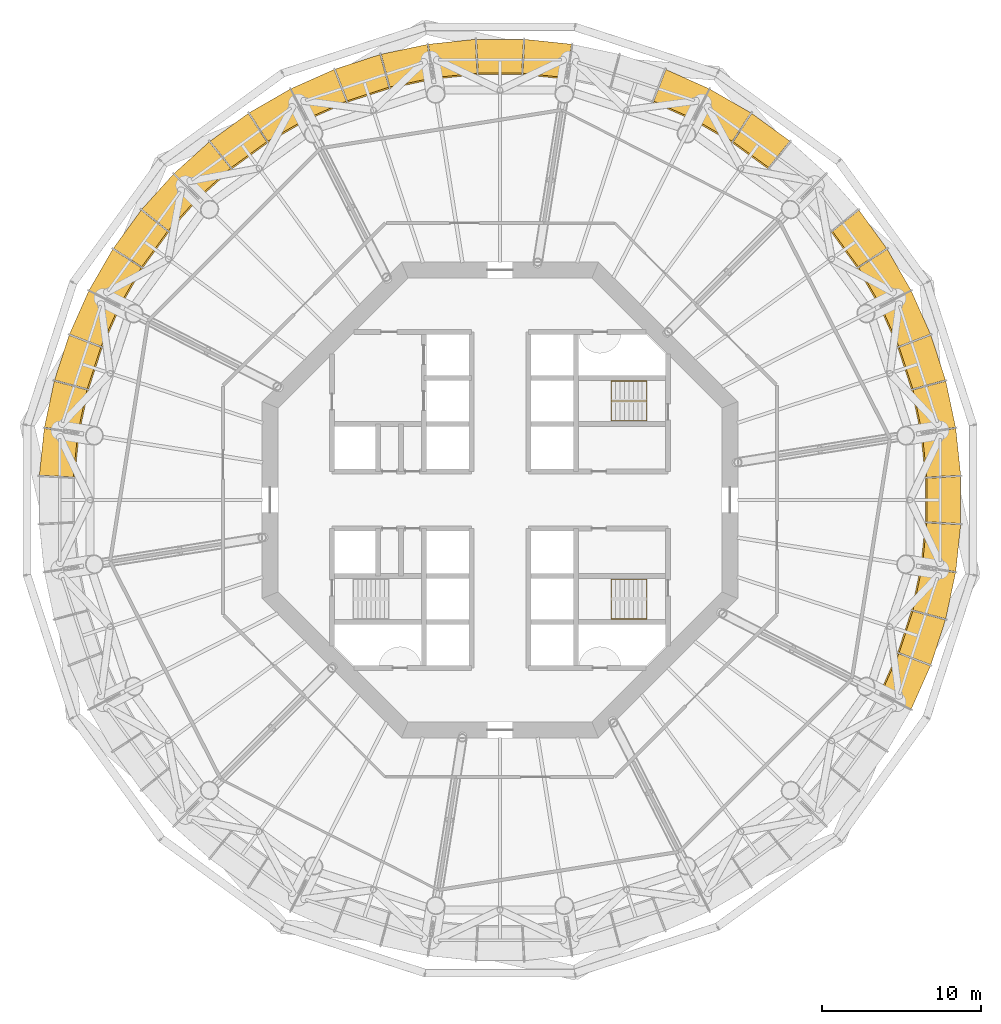
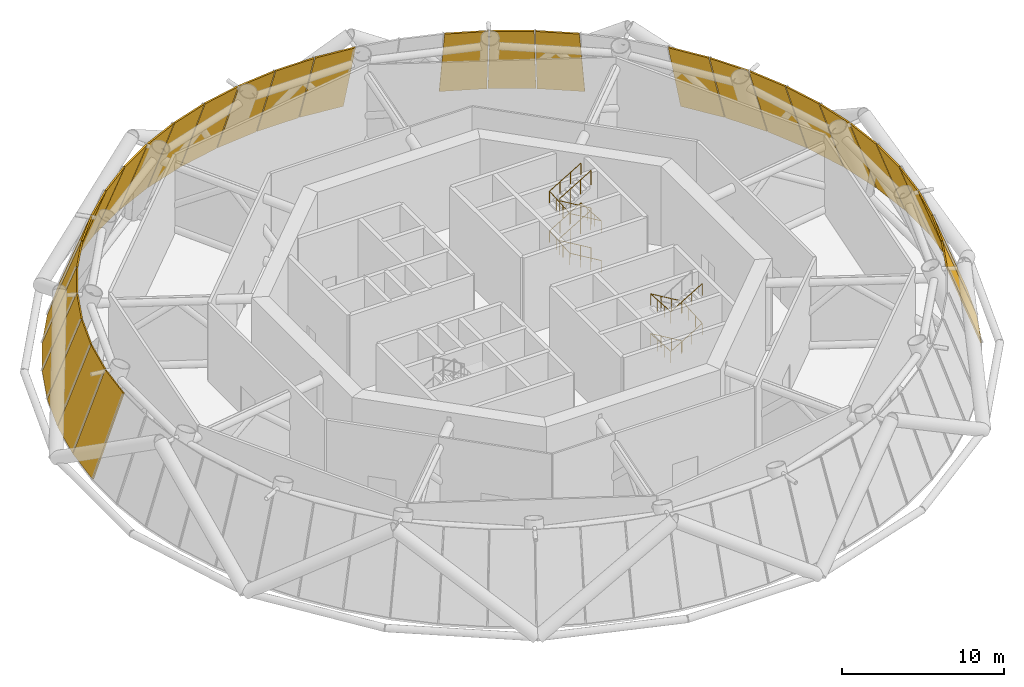
# One storey, part 14 of 15: 30 shading devices, 3 railings.
"""IFC4 building model written with IfcOpenShell, lengths in metres."""

from ifc_helpers import new_model, si_unit, direction, frame, origin, origin_2d, place, context, subcontext, project, spatial, polyline, circle, outline, extrude, material, layer, layer_set, type_object, element, save


model = new_model("IFC4")

# Units and contexts
model_context = context("Model", 3, precision=1e-05, world=origin(), true_north=direction((0.0, 1.0)))
body_context = subcontext(model_context, "Body", "Model", "MODEL_VIEW")
ifc_project = project(units=[si_unit("LENGTHUNIT", "METRE"), si_unit("AREAUNIT", "SQUARE_METRE"), si_unit("VOLUMEUNIT", "CUBIC_METRE"), si_unit("PLANEANGLEUNIT", "RADIAN"), si_unit("MASSUNIT", "GRAM", prefix="KILO")], contexts=[model_context])

# Site, building, storey
site_placement = place(None, origin())
site = spatial("IfcSite", under=ifc_project, at=site_placement, CompositionType="ELEMENT")
building_placement = place(site_placement, origin())
building = spatial("IfcBuilding", under=site, at=building_placement, Name="Entoto Ring Tower", CompositionType="ELEMENT")
storey_placement = place(building_placement, frame((0.0, 0.0, 200.0)))
storey = spatial("IfcBuildingStorey", under=building, at=storey_placement, Name="L46", CompositionType="ELEMENT", Elevation=200.0)

# Shading devices
ifc_material_1 = material(Name="Anodised aluminium", Category="aluminium")
ifc_layer = layer(ifc_material_1, 0.10009765625)
ifc_layer_set = layer_set([ifc_layer], Name="Anodised aluminium")
shading_device_type = type_object("IfcShadingDeviceType", Name="Louvre bank 100 mm anodised aluminium", PredefinedType="JALOUSIE", material=ifc_layer_set)
shading_device_1_placement = place(storey_placement, frame((118.7275390625, 84.590576171875, 0.034423828125), z_axis=(0.918353027937, 0.195197713351, 0.344275425759), x_axis=(-0.207906268773, 0.978148753205, -3.045492e-06)))
element("IfcShadingDevice", 1, at=shading_device_1_placement, inside=storey, type_object=shading_device_type, Name="LOUVRE L46-00", PredefinedType="JALOUSIE", context=body_context, shape_type="SweptSolid", body=[
    extrude(outline(polyline([(0.0, 0.0), (2.96517834880905, 0.0), (2.8533616351703897, 6.194351279673322), (0.11155860989281911, 6.194332767428116), (0.0, 0.0)])), origin(), (0.0, 0.0, -1.0), 0.10009765625),
])
shading_device_2_placement = place(storey_placement, frame((118.09033203125, 87.568115234375, 0.034423828125), z_axis=(0.892916754879, 0.290154767543, 0.344252639393), x_axis=(-0.309039918815, 0.951049067298, -1.3070655e-05)))
element("IfcShadingDevice", 2, at=shading_device_2_placement, inside=storey, type_object=shading_device_type, Name="LOUVRE L46-01", PredefinedType="JALOUSIE", context=body_context, shape_type="SweptSolid", body=[
    extrude(outline(polyline([(0.0, 0.0), (2.965184226481774, 5.551115123125783e-17), (2.853543807552835, 6.194326625666747), (0.11187349579815944, 6.194247177218622), (0.0, 0.0)])), origin(), (0.0, 0.0, -1.0), 0.10009765625),
])
shading_device_3_placement = place(storey_placement, frame((117.145263671875, 90.462890625, 0.034423828125), z_axis=(0.857707056851, 0.381881465537, 0.344245771082), x_axis=(-0.40673899718, 0.913544409489, -8.045852e-06)))
element("IfcShadingDevice", 3, at=shading_device_3_placement, inside=storey, type_object=shading_device_type, Name="LOUVRE L46-02", PredefinedType="JALOUSIE", context=body_context, shape_type="SweptSolid", body=[
    extrude(outline(polyline([(0.0, 0.0), (2.9653270053117966, 0.0), (2.8534716573417667, 6.1942947378489075), (0.11176368955269923, 6.194245830663955), (0.0, 0.0)])), origin(), (0.0, 0.0, -1.0), 0.10009765625),
])
shading_device_4_placement = place(storey_placement, frame((115.90283203125, 93.2431640625, 0.034423828125), z_axis=(0.81310401164, 0.469410520848, 0.344260989908), x_axis=(-0.499970970904, 0.866042163088, -2.616347e-06)))
element("IfcShadingDevice", 4, at=shading_device_4_placement, inside=storey, type_object=shading_device_type, Name="LOUVRE L46-03", PredefinedType="JALOUSIE", context=body_context, shape_type="SweptSolid", body=[
    extrude(outline(polyline([(0.0, 0.0), (2.965052540695958, 5.551115123125783e-17), (2.8534231207169944, 6.194315051785717), (0.11161084536990737, 6.194299148548093), (0.0, 0.0)])), origin(), (0.0, 0.0, -1.0), 0.10009765625),
])
shading_device_5_placement = place(storey_placement, frame((114.376708984375, 95.878173828125, 0.034423828125), z_axis=(0.759575686394, 0.551849086879, 0.344248982498), x_axis=(-0.587776019926, 0.809023701991, 4.016205e-06)))
element("IfcShadingDevice", 5, at=shading_device_5_placement, inside=storey, type_object=shading_device_type, Name="LOUVRE L46-04", PredefinedType="JALOUSIE", context=body_context, shape_type="SweptSolid", body=[
    extrude(outline(polyline([(0.0, 0.0), (2.9652343510788364, -5.551115123125783e-17), (2.8535016415328758, 6.1942658466849725), (0.11163180173182323, 6.194290259750858), (0.0, 0.0)])), origin(), (0.0, 0.0, -1.0), 0.10009765625),
])
shading_device_6_placement = place(storey_placement, frame((108.277099609375, 102.6337890625, 0.034423828125), z_axis=(0.551849086879, 0.759575686394, 0.344248982498), x_axis=(-0.809023701991, 0.587776019926, -4.016205e-06)))
element("IfcShadingDevice", 6, at=shading_device_6_placement, inside=storey, type_object=shading_device_type, Name="LOUVRE L46-07", PredefinedType="JALOUSIE", context=body_context, shape_type="SweptSolid", body=[
    extrude(outline(polyline([(0.0, 0.0), (2.9652343510788364, 5.551115123125783e-17), (2.853602549347013, 6.194290259750858), (0.11173270954596044, 6.1942658466849725), (0.0, 0.0)])), origin(), (0.0, 0.0, -1.0), 0.10009765625),
])
shading_device_7_placement = place(storey_placement, frame((105.81103515625, 104.42041015625, 0.034423828125), z_axis=(0.469410520848, 0.81310401164, 0.344260989908), x_axis=(-0.866042163088, 0.499970970904, 2.616347e-06)))
element("IfcShadingDevice", 7, at=shading_device_7_placement, inside=storey, type_object=shading_device_type, Name="LOUVRE L46-08", PredefinedType="JALOUSIE", context=body_context, shape_type="SweptSolid", body=[
    extrude(outline(polyline([(0.0, 0.0), (2.965052540695958, -5.551115123125783e-17), (2.85344169532605, 6.194299148548093), (0.11162941997896283, 6.194315051785717), (0.0, 0.0)])), origin(), (0.0, 0.0, -1.0), 0.10009765625),
])
shading_device_8_placement = place(storey_placement, frame((103.171875, 105.939208984375, 0.034423828125), z_axis=(0.381881465537, 0.857707056851, 0.344245771082), x_axis=(-0.913544409489, 0.40673899718, 8.045852e-06)))
element("IfcShadingDevice", 8, at=shading_device_8_placement, inside=storey, type_object=shading_device_type, Name="LOUVRE L46-09", PredefinedType="JALOUSIE", context=body_context, shape_type="SweptSolid", body=[
    extrude(outline(polyline([(0.0, 0.0), (2.9653270053117966, 0.0), (2.853563315759097, 6.194245830663955), (0.11185534797003015, 6.194294737848908), (0.0, 0.0)])), origin(), (0.0, 0.0, -1.0), 0.10009765625),
])
shading_device_9_placement = place(storey_placement, frame((94.511474609375, 108.739990234375, 0.034423828125), z_axis=(0.098120918912, 0.933735211984, 0.344254032907), x_axis=(-0.994523258802, 0.104515488673, -1.8172446e-05)))
element("IfcShadingDevice", 9, at=shading_device_9_placement, inside=storey, type_object=shading_device_type, Name="LOUVRE L46-12", PredefinedType="JALOUSIE", context=body_context, shape_type="SweptSolid", body=[
    extrude(outline(polyline([(0.0, 0.0), (2.965229764081625, 1.3877787807814457e-17), (2.8534416715854203, 6.194345501271873), (0.11163821802886066, 6.194235038661079), (0.0, 0.0)])), origin(), (0.0, 0.0, -1.0), 0.10009765625),
])
shading_device_10_placement = place(storey_placement, frame((91.482666015625, 109.05419921875, 0.034423828125), z_axis=(0.0, 0.938880986804, 0.344241910027), x_axis=(-1.0, 0.0, 0.0)))
element("IfcShadingDevice", 10, at=shading_device_10_placement, inside=storey, type_object=shading_device_type, Name="LOUVRE L46-13", PredefinedType="JALOUSIE", context=body_context, shape_type="SweptSolid", body=[
    extrude(outline(polyline([(0.0, 0.0), (2.96533203125, 0.0), (2.853515625, 6.194260944536151), (0.11181640625, 6.194260944536151), (0.0, 0.0)])), origin(), (0.0, 0.0, -1.0), 0.10009765625),
])
shading_device_11_placement = place(storey_placement, frame((88.4375, 109.050048828125, 0.034423828125), z_axis=(-0.098120918912, 0.933735211984, 0.344254032907), x_axis=(-0.994523258802, -0.104515488673, 1.8172446e-05)))
element("IfcShadingDevice", 11, at=shading_device_11_placement, inside=storey, type_object=shading_device_type, Name="LOUVRE L46-14", PredefinedType="JALOUSIE", context=body_context, shape_type="SweptSolid", body=[
    extrude(outline(polyline([(0.0, 0.0), (2.965229764081625, -1.3877787807814457e-17), (2.8535915460527645, 6.194235038661079), (0.11178809249620496, 6.194345501271873), (0.0, 0.0)])), origin(), (0.0, 0.0, -1.0), 0.10009765625),
])
shading_device_12_placement = place(storey_placement, frame((85.409423828125, 108.7275390625, 0.034423828125), z_axis=(-0.195197713351, 0.918353027937, 0.344275425759), x_axis=(-0.978148753205, -0.207906268773, -3.045492e-06)))
element("IfcShadingDevice", 12, at=shading_device_12_placement, inside=storey, type_object=shading_device_type, Name="LOUVRE L46-15", PredefinedType="JALOUSIE", context=body_context, shape_type="SweptSolid", body=[
    extrude(outline(polyline([(0.0, 0.0), (2.96517834880905, 0.0), (2.8533616351703897, 6.194351279673322), (0.11155860989281911, 6.194332767428116), (0.0, 0.0)])), origin(), (0.0, 0.0, -1.0), 0.10009765625),
])
shading_device_13_placement = place(storey_placement, frame((82.431884765625, 108.09033203125, 0.034423828125), z_axis=(-0.290154767543, 0.892916754879, 0.344252639393), x_axis=(-0.951049067298, -0.309039918815, -1.3070655e-05)))
element("IfcShadingDevice", 13, at=shading_device_13_placement, inside=storey, type_object=shading_device_type, Name="LOUVRE L46-16", PredefinedType="JALOUSIE", context=body_context, shape_type="SweptSolid", body=[
    extrude(outline(polyline([(0.0, 0.0), (2.965184226481774, 5.551115123125783e-17), (2.853543807552835, 6.194326625666747), (0.11187349579815944, 6.194247177218622), (0.0, 0.0)])), origin(), (0.0, 0.0, -1.0), 0.10009765625),
])
shading_device_14_placement = place(storey_placement, frame((79.537109375, 107.145263671875, 0.034423828125), z_axis=(-0.381881465537, 0.857707056851, 0.344245771082), x_axis=(-0.913544409489, -0.40673899718, -8.045852e-06)))
element("IfcShadingDevice", 14, at=shading_device_14_placement, inside=storey, type_object=shading_device_type, Name="LOUVRE L46-17", PredefinedType="JALOUSIE", context=body_context, shape_type="SweptSolid", body=[
    extrude(outline(polyline([(0.0, 0.0), (2.9653270053117966, 0.0), (2.8534716573417667, 6.1942947378489075), (0.11176368955269923, 6.194245830663955), (0.0, 0.0)])), origin(), (0.0, 0.0, -1.0), 0.10009765625),
])
shading_device_15_placement = place(storey_placement, frame((76.7568359375, 105.90283203125, 0.034423828125), z_axis=(-0.469410520848, 0.81310401164, 0.344260989908), x_axis=(-0.866042163088, -0.499970970904, -2.616347e-06)))
element("IfcShadingDevice", 15, at=shading_device_15_placement, inside=storey, type_object=shading_device_type, Name="LOUVRE L46-18", PredefinedType="JALOUSIE", context=body_context, shape_type="SweptSolid", body=[
    extrude(outline(polyline([(0.0, 0.0), (2.965052540695958, 5.551115123125783e-17), (2.8534231207169944, 6.194315051785717), (0.11161084536990737, 6.194299148548093), (0.0, 0.0)])), origin(), (0.0, 0.0, -1.0), 0.10009765625),
])
shading_device_16_placement = place(storey_placement, frame((74.121826171875, 104.376708984375, 0.034423828125), z_axis=(-0.551849086879, 0.759575686394, 0.344248982498), x_axis=(-0.809023701991, -0.587776019926, 4.016205e-06)))
element("IfcShadingDevice", 16, at=shading_device_16_placement, inside=storey, type_object=shading_device_type, Name="LOUVRE L46-19", PredefinedType="JALOUSIE", context=body_context, shape_type="SweptSolid", body=[
    extrude(outline(polyline([(0.0, 0.0), (2.9652343510788364, -5.551115123125783e-17), (2.8535016415328758, 6.1942658466849725), (0.11163180173182323, 6.194290259750858), (0.0, 0.0)])), origin(), (0.0, 0.0, -1.0), 0.10009765625),
])
shading_device_17_placement = place(storey_placement, frame((71.660888671875, 102.58349609375, 0.034423828125), z_axis=(-0.628217704615, 0.69774298092, 0.344234292575), x_axis=(-0.74316041157, -0.669113295802, 7.488122e-06)))
element("IfcShadingDevice", 17, at=shading_device_17_placement, inside=storey, type_object=shading_device_type, Name="LOUVRE L46-20", PredefinedType="JALOUSIE", context=body_context, shape_type="SweptSolid", body=[
    extrude(outline(polyline([(0.0, 0.0), (2.965246491653761, 0.0), (2.8534962501103727, 6.194219760337516), (0.11176429219543894, 6.194265276674592), (0.0, 0.0)])), origin(), (0.0, 0.0, -1.0), 0.10009765625),
])
shading_device_18_placement = place(storey_placement, frame((69.400634765625, 100.542724609375, 0.034423828125), z_axis=(-0.69774298092, 0.628217704615, 0.344234292575), x_axis=(-0.669113295802, -0.74316041157, -7.488122e-06)))
element("IfcShadingDevice", 18, at=shading_device_18_placement, inside=storey, type_object=shading_device_type, Name="LOUVRE L46-21", PredefinedType="JALOUSIE", context=body_context, shape_type="SweptSolid", body=[
    extrude(outline(polyline([(0.0, 0.0), (2.965246491653761, 0.0), (2.853482199458322, 6.194265276674591), (0.11175024154338818, 6.194219760337516), (0.0, 0.0)])), origin(), (0.0, 0.0, -1.0), 0.10009765625),
])
shading_device_19_placement = place(storey_placement, frame((67.3662109375, 98.277099609375, 0.034423828125), z_axis=(-0.759575686394, 0.551849086879, 0.344248982498), x_axis=(-0.587776019926, -0.809023701991, -4.016205e-06)))
element("IfcShadingDevice", 19, at=shading_device_19_placement, inside=storey, type_object=shading_device_type, Name="LOUVRE L46-22", PredefinedType="JALOUSIE", context=body_context, shape_type="SweptSolid", body=[
    extrude(outline(polyline([(0.0, 0.0), (2.9652343510788364, 5.551115123125783e-17), (2.853602549347013, 6.194290259750858), (0.11173270954596044, 6.1942658466849725), (0.0, 0.0)])), origin(), (0.0, 0.0, -1.0), 0.10009765625),
])
shading_device_20_placement = place(storey_placement, frame((65.57958984375, 95.81103515625, 0.034423828125), z_axis=(-0.81310401164, 0.469410520848, 0.344260989908), x_axis=(-0.499970970904, -0.866042163088, 2.616347e-06)))
element("IfcShadingDevice", 20, at=shading_device_20_placement, inside=storey, type_object=shading_device_type, Name="LOUVRE L46-23", PredefinedType="JALOUSIE", context=body_context, shape_type="SweptSolid", body=[
    extrude(outline(polyline([(0.0, 0.0), (2.965052540695958, -5.551115123125783e-17), (2.85344169532605, 6.194299148548093), (0.11162941997896283, 6.194315051785717), (0.0, 0.0)])), origin(), (0.0, 0.0, -1.0), 0.10009765625),
])
shading_device_21_placement = place(storey_placement, frame((64.060791015625, 93.171875, 0.034423828125), z_axis=(-0.857707056851, 0.381881465537, 0.344245771082), x_axis=(-0.40673899718, -0.913544409489, 8.045852e-06)))
element("IfcShadingDevice", 21, at=shading_device_21_placement, inside=storey, type_object=shading_device_type, Name="LOUVRE L46-24", PredefinedType="JALOUSIE", context=body_context, shape_type="SweptSolid", body=[
    extrude(outline(polyline([(0.0, 0.0), (2.9653270053117966, 0.0), (2.853563315759097, 6.194245830663955), (0.11185534797003015, 6.194294737848908), (0.0, 0.0)])), origin(), (0.0, 0.0, -1.0), 0.10009765625),
])
shading_device_22_placement = place(storey_placement, frame((62.825927734375, 90.38818359375, 0.034423828125), z_axis=(-0.892916754879, 0.290154767543, 0.344252639393), x_axis=(-0.309039918815, -0.951049067298, 1.3070655e-05)))
element("IfcShadingDevice", 22, at=shading_device_22_placement, inside=storey, type_object=shading_device_type, Name="LOUVRE L46-25", PredefinedType="JALOUSIE", context=body_context, shape_type="SweptSolid", body=[
    extrude(outline(polyline([(0.0, 0.0), (2.965184226481774, -5.551115123125783e-17), (2.8533107306836145, 6.194247177218622), (0.11164041892893914, 6.194326625666746), (0.0, 0.0)])), origin(), (0.0, 0.0, -1.0), 0.10009765625),
])
shading_device_23_placement = place(storey_placement, frame((61.888916015625, 87.490966796875, 0.034423828125), z_axis=(-0.918353027937, 0.195197713351, 0.344275425759), x_axis=(-0.207906268773, -0.978148753205, 3.045492e-06)))
element("IfcShadingDevice", 23, at=shading_device_23_placement, inside=storey, type_object=shading_device_type, Name="LOUVRE L46-26", PredefinedType="JALOUSIE", context=body_context, shape_type="SweptSolid", body=[
    extrude(outline(polyline([(0.0, 0.0), (2.96517834880905, 0.0), (2.853619738916231, 6.194332767428115), (0.11181671363866076, 6.194351279673322), (0.0, 0.0)])), origin(), (0.0, 0.0, -1.0), 0.10009765625),
])
shading_device_24_placement = place(storey_placement, frame((61.260009765625, 84.511474609375, 0.034423828125), z_axis=(-0.933735211984, 0.098120918912, 0.344254032907), x_axis=(-0.104515488673, -0.994523258802, -1.8172446e-05)))
element("IfcShadingDevice", 24, at=shading_device_24_placement, inside=storey, type_object=shading_device_type, Name="LOUVRE L46-27", PredefinedType="JALOUSIE", context=body_context, shape_type="SweptSolid", body=[
    extrude(outline(polyline([(0.0, 0.0), (2.965229764081625, 1.3877787807814457e-17), (2.8534416715854203, 6.194345501271873), (0.11163821802886066, 6.194235038661079), (0.0, 0.0)])), origin(), (0.0, 0.0, -1.0), 0.10009765625),
])
shading_device_25_placement = place(storey_placement, frame((115.939208984375, 66.828125, 0.034423828125), z_axis=(0.857707056851, -0.381881465537, 0.344245771082), x_axis=(0.40673899718, 0.913544409489, 8.045852e-06)))
element("IfcShadingDevice", 25, at=shading_device_25_placement, inside=storey, type_object=shading_device_type, Name="LOUVRE L46-54", PredefinedType="JALOUSIE", context=body_context, shape_type="SweptSolid", body=[
    extrude(outline(polyline([(0.0, 0.0), (2.9653270053117966, 0.0), (2.853563315759097, 6.194245830663955), (0.11185534797003015, 6.194294737848908), (0.0, 0.0)])), origin(), (0.0, 0.0, -1.0), 0.10009765625),
])
shading_device_26_placement = place(storey_placement, frame((117.174072265625, 69.61181640625, 0.034423828125), z_axis=(0.892916754879, -0.290154767543, 0.344252639393), x_axis=(0.309039918815, 0.951049067298, 1.3070655e-05)))
element("IfcShadingDevice", 26, at=shading_device_26_placement, inside=storey, type_object=shading_device_type, Name="LOUVRE L46-55", PredefinedType="JALOUSIE", context=body_context, shape_type="SweptSolid", body=[
    extrude(outline(polyline([(0.0, 0.0), (2.965184226481774, -5.551115123125783e-17), (2.8533107306836145, 6.194247177218622), (0.11164041892893914, 6.194326625666746), (0.0, 0.0)])), origin(), (0.0, 0.0, -1.0), 0.10009765625),
])
shading_device_27_placement = place(storey_placement, frame((118.111083984375, 72.509033203125, 0.034423828125), z_axis=(0.918353027937, -0.195197713351, 0.344275425759), x_axis=(0.207906268773, 0.978148753205, 3.045492e-06)))
element("IfcShadingDevice", 27, at=shading_device_27_placement, inside=storey, type_object=shading_device_type, Name="LOUVRE L46-56", PredefinedType="JALOUSIE", context=body_context, shape_type="SweptSolid", body=[
    extrude(outline(polyline([(0.0, 0.0), (2.96517834880905, 0.0), (2.853619738916231, 6.194332767428115), (0.11181671363866076, 6.194351279673322), (0.0, 0.0)])), origin(), (0.0, 0.0, -1.0), 0.10009765625),
])
shading_device_28_placement = place(storey_placement, frame((118.739990234375, 75.488525390625, 0.034423828125), z_axis=(0.933735211984, -0.098120918912, 0.344254032907), x_axis=(0.104515488673, 0.994523258802, -1.8172446e-05)))
element("IfcShadingDevice", 28, at=shading_device_28_placement, inside=storey, type_object=shading_device_type, Name="LOUVRE L46-57", PredefinedType="JALOUSIE", context=body_context, shape_type="SweptSolid", body=[
    extrude(outline(polyline([(0.0, 0.0), (2.965229764081625, 1.3877787807814457e-17), (2.8534416715854203, 6.194345501271873), (0.11163821802886066, 6.194235038661079), (0.0, 0.0)])), origin(), (0.0, 0.0, -1.0), 0.10009765625),
])
shading_device_29_placement = place(storey_placement, frame((119.05419921875, 78.517333984375, 0.034423828125), z_axis=(0.938880986804, 0.0, 0.344241910027), x_axis=(0.0, 1.0, 0.0)))
element("IfcShadingDevice", 29, at=shading_device_29_placement, inside=storey, type_object=shading_device_type, Name="LOUVRE L46-58", PredefinedType="JALOUSIE", context=body_context, shape_type="SweptSolid", body=[
    extrude(outline(polyline([(0.0, 0.0), (2.96533203125, 0.0), (2.853515625, 6.194260944536151), (0.11181640625, 6.194260944536151), (0.0, 0.0)])), origin(), (0.0, 0.0, -1.0), 0.10009765625),
])
shading_device_30_placement = place(storey_placement, frame((119.050048828125, 81.5625, 0.034423828125), z_axis=(0.933735211984, 0.098120918912, 0.344254032907), x_axis=(-0.104515488673, 0.994523258802, 1.8172446e-05)))
element("IfcShadingDevice", 30, at=shading_device_30_placement, inside=storey, type_object=shading_device_type, Name="LOUVRE L46-59", PredefinedType="JALOUSIE", context=body_context, shape_type="SweptSolid", body=[
    extrude(outline(polyline([(0.0, 0.0), (2.965229764081625, -1.3877787807814457e-17), (2.8535915460527645, 6.194235038661079), (0.11178809249620496, 6.194345501271873), (0.0, 0.0)])), origin(), (0.0, 0.0, -1.0), 0.10009765625),
])

# Railings
ifc_material_2 = material(Name="Steel S275", Category="steel")
railing_type_1 = type_object("IfcRailingType", Name="Stair guard 1100 mm steel", PredefinedType="GUARDRAIL", material=ifc_material_2)
railing_1_placement = place(storey_placement, frame((99.25, 86.25, 0.166748046875)))
element("IfcRailing", 31, at=railing_1_placement, inside=storey, type_object=railing_type_1, Name="Guard ST1", PredefinedType="GUARDRAIL", context=body_context, shape_type="SweptSolid", body=[
    extrude(circle(Radius=0.02392578125, at=origin_2d()), frame((0.0, 0.0, 1.076171875), z_axis=(-0.859305625298, 0.0, 0.511462454469), x_axis=(0.0, -1.0, 0.0)), (0.0, 0.0, 1.0), 2.606689453125),
    extrude(circle(Radius=0.02392578125, at=origin_2d()), frame((-2.239990234375, 0.0, 2.4091796875), z_axis=(0.0, 0.0, 1.0), x_axis=(1.0, 0.0, 0.0)), (0.0, 0.0, 1.0), 0.166748046875),
    extrude(circle(Radius=0.02392578125, at=origin_2d()), frame((-2.239990234375, 0.0, 2.576171875), z_axis=(0.859305625298, 0.0, 0.511462454469), x_axis=(0.0, 1.0, 0.0)), (0.0, 0.0, 1.0), 2.606689453125),
    extrude(circle(Radius=0.02392578125, at=origin_2d()), frame((0.0, 0.0, 3.9091796875), z_axis=(0.0, 0.0, 1.0), x_axis=(1.0, 0.0, 0.0)), (0.0, 0.0, 1.0), 0.166748046875),
    extrude(circle(Radius=0.02392578125, at=origin_2d()), frame((0.0, 0.0, 4.076171875), z_axis=(-0.859305625298, 0.0, 0.511462454469), x_axis=(0.0, -1.0, 0.0)), (0.0, 0.0, 1.0), 2.606689453125),
    extrude(circle(Radius=0.02392578125, at=origin_2d()), frame((-2.239990234375, 0.0, 5.4091796875), z_axis=(0.0, 0.0, 1.0), x_axis=(1.0, 0.0, 0.0)), (0.0, 0.0, 1.0), 0.166748046875),
    extrude(circle(Radius=0.02392578125, at=origin_2d()), frame((-2.239990234375, 0.0, 5.576171875), z_axis=(0.859305625298, 0.0, 0.511462454469), x_axis=(0.0, 1.0, 0.0)), (0.0, 0.0, 1.0), 2.606689453125),
    extrude(circle(Radius=0.02099609375, at=origin_2d()), origin(), (0.0, 0.0, 1.0), 1.052001953125),
    extrude(circle(Radius=0.02099609375, at=origin_2d()), frame((-0.74658203125, 0.0, 0.4443359375)), (0.0, 0.0, 1.0), 1.052001953125),
    extrude(circle(Radius=0.02099609375, at=origin_2d()), frame((-1.493408203125, 0.0, 0.888916015625)), (0.0, 0.0, 1.0), 1.052001953125),
    extrude(circle(Radius=0.02099609375, at=origin_2d()), frame((-2.239990234375, 0.0, 1.333251953125)), (0.0, 0.0, 1.0), 1.052001953125),
    extrude(circle(Radius=0.02099609375, at=origin_2d()), frame((-2.239990234375, 0.0, 1.5)), (0.0, 0.0, 1.0), 1.052001953125),
    extrude(circle(Radius=0.02099609375, at=origin_2d()), frame((-1.493408203125, 0.0, 1.9443359375)), (0.0, 0.0, 1.0), 1.052001953125),
    extrude(circle(Radius=0.02099609375, at=origin_2d()), frame((-0.74658203125, 0.0, 2.388916015625)), (0.0, 0.0, 1.0), 1.052001953125),
    extrude(circle(Radius=0.02099609375, at=origin_2d()), frame((0.0, 0.0, 2.833251953125)), (0.0, 0.0, 1.0), 1.052001953125),
    extrude(circle(Radius=0.02099609375, at=origin_2d()), frame((0.0, 0.0, 3.0)), (0.0, 0.0, 1.0), 1.052001953125),
    extrude(circle(Radius=0.02099609375, at=origin_2d()), frame((-0.74658203125, 0.0, 3.4443359375)), (0.0, 0.0, 1.0), 1.052001953125),
    extrude(circle(Radius=0.02099609375, at=origin_2d()), frame((-1.493408203125, 0.0, 3.888916015625)), (0.0, 0.0, 1.0), 1.052001953125),
    extrude(circle(Radius=0.02099609375, at=origin_2d()), frame((-2.239990234375, 0.0, 4.333251953125)), (0.0, 0.0, 1.0), 1.052001953125),
    extrude(circle(Radius=0.02099609375, at=origin_2d()), frame((-2.239990234375, 0.0, 4.5)), (0.0, 0.0, 1.0), 1.052001953125),
    extrude(circle(Radius=0.02099609375, at=origin_2d()), frame((-1.493408203125, 0.0, 4.9443359375)), (0.0, 0.0, 1.0), 1.052001953125),
    extrude(circle(Radius=0.02099609375, at=origin_2d()), frame((-0.74658203125, 0.0, 5.388916015625)), (0.0, 0.0, 1.0), 1.052001953125),
    extrude(circle(Radius=0.02099609375, at=origin_2d()), frame((0.0, 0.0, 5.833251953125)), (0.0, 0.0, 1.0), 1.052001953125),
])
ifc_material_3 = material(Name="Steel S275", Category="steel")
railing_type_2 = type_object("IfcRailingType", Name="Stair handrail 900 mm steel", PredefinedType="HANDRAIL", material=ifc_material_3)
railing_2_placement = place(storey_placement, frame((99.25, 85.0, 0.166748046875)))
element("IfcRailing", 32, at=railing_2_placement, inside=storey, type_object=railing_type_2, Name="Handrail ST1", PredefinedType="HANDRAIL", context=body_context, shape_type="SweptSolid", body=[
    extrude(circle(Radius=0.02392578125, at=origin_2d()), frame((0.0, 0.0, 0.8759765625), z_axis=(-0.859305625298, 0.0, 0.511462454469), x_axis=(0.0, -1.0, 0.0)), (0.0, 0.0, 1.0), 2.606689453125),
    extrude(circle(Radius=0.02392578125, at=origin_2d()), frame((-2.239990234375, 0.0, 2.208984375), z_axis=(0.0, 0.997783001586, 0.066551346688), x_axis=(-1.0, 0.0, 0.0)), (0.0, 0.0, 1.0), 2.505615234375),
    extrude(circle(Radius=0.02392578125, at=origin_2d()), frame((-2.239990234375, 2.5, 2.3759765625), z_axis=(0.859305625298, 0.0, 0.511462454469), x_axis=(0.0, 1.0, 0.0)), (0.0, 0.0, 1.0), 2.606689453125),
    extrude(circle(Radius=0.02392578125, at=origin_2d()), frame((0.0, 2.5, 3.708984375), z_axis=(0.0, -0.997783001586, 0.066551346688), x_axis=(1.0, 0.0, 0.0)), (0.0, 0.0, 1.0), 2.505615234375),
    extrude(circle(Radius=0.02392578125, at=origin_2d()), frame((0.0, 0.0, 3.8759765625), z_axis=(-0.859305625298, 0.0, 0.511462454469), x_axis=(0.0, -1.0, 0.0)), (0.0, 0.0, 1.0), 2.606689453125),
    extrude(circle(Radius=0.02392578125, at=origin_2d()), frame((-2.239990234375, 0.0, 5.208984375), z_axis=(0.0, 0.997783001586, 0.066551346688), x_axis=(-1.0, 0.0, 0.0)), (0.0, 0.0, 1.0), 2.505615234375),
    extrude(circle(Radius=0.02392578125, at=origin_2d()), frame((-2.239990234375, 2.5, 5.3759765625), z_axis=(0.859305625298, 0.0, 0.511462454469), x_axis=(0.0, 1.0, 0.0)), (0.0, 0.0, 1.0), 2.606689453125),
    extrude(circle(Radius=0.02099609375, at=origin_2d()), origin(), (0.0, 0.0, 1.0), 0.851806640625),
    extrude(circle(Radius=0.02099609375, at=origin_2d()), frame((-0.74658203125, 0.0, 0.4443359375)), (0.0, 0.0, 1.0), 0.851806640625),
    extrude(circle(Radius=0.02099609375, at=origin_2d()), frame((-1.493408203125, 0.0, 0.888916015625)), (0.0, 0.0, 1.0), 0.851806640625),
    extrude(circle(Radius=0.02099609375, at=origin_2d()), frame((-2.239990234375, 0.0, 1.333251953125)), (0.0, 0.0, 1.0), 0.851806640625),
    extrude(circle(Radius=0.02099609375, at=origin_2d()), frame((-2.239990234375, 0.833251953125, 1.388916015625)), (0.0, 0.0, 1.0), 0.851806640625),
    extrude(circle(Radius=0.02099609375, at=origin_2d()), frame((-2.239990234375, 1.666748046875, 1.4443359375)), (0.0, 0.0, 1.0), 0.851806640625),
    extrude(circle(Radius=0.02099609375, at=origin_2d()), frame((-2.239990234375, 2.5, 1.5)), (0.0, 0.0, 1.0), 0.851806640625),
    extrude(circle(Radius=0.02099609375, at=origin_2d()), frame((-1.493408203125, 2.5, 1.9443359375)), (0.0, 0.0, 1.0), 0.851806640625),
    extrude(circle(Radius=0.02099609375, at=origin_2d()), frame((-0.74658203125, 2.5, 2.388916015625)), (0.0, 0.0, 1.0), 0.851806640625),
    extrude(circle(Radius=0.02099609375, at=origin_2d()), frame((0.0, 2.5, 2.833251953125)), (0.0, 0.0, 1.0), 0.851806640625),
    extrude(circle(Radius=0.02099609375, at=origin_2d()), frame((0.0, 1.666748046875, 2.888916015625)), (0.0, 0.0, 1.0), 0.851806640625),
    extrude(circle(Radius=0.02099609375, at=origin_2d()), frame((0.0, 0.833251953125, 2.9443359375)), (0.0, 0.0, 1.0), 0.851806640625),
    extrude(circle(Radius=0.02099609375, at=origin_2d()), frame((0.0, 0.0, 3.0)), (0.0, 0.0, 1.0), 0.851806640625),
    extrude(circle(Radius=0.02099609375, at=origin_2d()), frame((-0.74658203125, 0.0, 3.4443359375)), (0.0, 0.0, 1.0), 0.851806640625),
    extrude(circle(Radius=0.02099609375, at=origin_2d()), frame((-1.493408203125, 0.0, 3.888916015625)), (0.0, 0.0, 1.0), 0.851806640625),
    extrude(circle(Radius=0.02099609375, at=origin_2d()), frame((-2.239990234375, 0.0, 4.333251953125)), (0.0, 0.0, 1.0), 0.851806640625),
    extrude(circle(Radius=0.02099609375, at=origin_2d()), frame((-2.239990234375, 0.833251953125, 4.388916015625)), (0.0, 0.0, 1.0), 0.851806640625),
    extrude(circle(Radius=0.02099609375, at=origin_2d()), frame((-2.239990234375, 1.666748046875, 4.4443359375)), (0.0, 0.0, 1.0), 0.851806640625),
    extrude(circle(Radius=0.02099609375, at=origin_2d()), frame((-2.239990234375, 2.5, 4.5)), (0.0, 0.0, 1.0), 0.851806640625),
    extrude(circle(Radius=0.02099609375, at=origin_2d()), frame((-1.493408203125, 2.5, 4.9443359375)), (0.0, 0.0, 1.0), 0.851806640625),
    extrude(circle(Radius=0.02099609375, at=origin_2d()), frame((-0.74658203125, 2.5, 5.388916015625)), (0.0, 0.0, 1.0), 0.851806640625),
    extrude(circle(Radius=0.02099609375, at=origin_2d()), frame((0.0, 2.5, 5.833251953125)), (0.0, 0.0, 1.0), 0.851806640625),
])
railing_3_placement = place(storey_placement, frame((99.25, 75.0, 0.166748046875)))
element("IfcRailing", 33, at=railing_3_placement, inside=storey, type_object=railing_type_2, Name="Handrail ST3", PredefinedType="HANDRAIL", context=body_context, shape_type="SweptSolid", body=[
    extrude(circle(Radius=0.02392578125, at=origin_2d()), frame((0.0, 0.0, 0.8759765625), z_axis=(-0.859305625298, 0.0, 0.511462454469), x_axis=(0.0, -1.0, 0.0)), (0.0, 0.0, 1.0), 2.606689453125),
    extrude(circle(Radius=0.02392578125, at=origin_2d()), frame((-2.239990234375, 0.0, 2.208984375), z_axis=(0.0, -0.997783001586, 0.066551346688), x_axis=(1.0, 0.0, 0.0)), (0.0, 0.0, 1.0), 2.505615234375),
    extrude(circle(Radius=0.02392578125, at=origin_2d()), frame((-2.239990234375, -2.5, 2.3759765625), z_axis=(0.859305625298, 0.0, 0.511462454469), x_axis=(0.0, 1.0, 0.0)), (0.0, 0.0, 1.0), 2.606689453125),
    extrude(circle(Radius=0.02392578125, at=origin_2d()), frame((0.0, -2.5, 3.708984375), z_axis=(0.0, 0.997783001586, 0.066551346688), x_axis=(-1.0, 0.0, 0.0)), (0.0, 0.0, 1.0), 2.505615234375),
    extrude(circle(Radius=0.02392578125, at=origin_2d()), frame((0.0, 0.0, 3.8759765625), z_axis=(-0.859305625298, 0.0, 0.511462454469), x_axis=(0.0, -1.0, 0.0)), (0.0, 0.0, 1.0), 2.606689453125),
    extrude(circle(Radius=0.02392578125, at=origin_2d()), frame((-2.239990234375, 0.0, 5.208984375), z_axis=(0.0, -0.997783001586, 0.066551346688), x_axis=(1.0, 0.0, 0.0)), (0.0, 0.0, 1.0), 2.505615234375),
    extrude(circle(Radius=0.02392578125, at=origin_2d()), frame((-2.239990234375, -2.5, 5.3759765625), z_axis=(0.859305625298, 0.0, 0.511462454469), x_axis=(0.0, 1.0, 0.0)), (0.0, 0.0, 1.0), 2.606689453125),
    extrude(circle(Radius=0.02099609375, at=origin_2d()), origin(), (0.0, 0.0, 1.0), 0.851806640625),
    extrude(circle(Radius=0.02099609375, at=origin_2d()), frame((-0.74658203125, 0.0, 0.4443359375)), (0.0, 0.0, 1.0), 0.851806640625),
    extrude(circle(Radius=0.02099609375, at=origin_2d()), frame((-1.493408203125, 0.0, 0.888916015625)), (0.0, 0.0, 1.0), 0.851806640625),
    extrude(circle(Radius=0.02099609375, at=origin_2d()), frame((-2.239990234375, 0.0, 1.333251953125)), (0.0, 0.0, 1.0), 0.851806640625),
    extrude(circle(Radius=0.02099609375, at=origin_2d()), frame((-2.239990234375, -0.833251953125, 1.388916015625)), (0.0, 0.0, 1.0), 0.851806640625),
    extrude(circle(Radius=0.02099609375, at=origin_2d()), frame((-2.239990234375, -1.666748046875, 1.4443359375)), (0.0, 0.0, 1.0), 0.851806640625),
    extrude(circle(Radius=0.02099609375, at=origin_2d()), frame((-2.239990234375, -2.5, 1.5)), (0.0, 0.0, 1.0), 0.851806640625),
    extrude(circle(Radius=0.02099609375, at=origin_2d()), frame((-1.493408203125, -2.5, 1.9443359375)), (0.0, 0.0, 1.0), 0.851806640625),
    extrude(circle(Radius=0.02099609375, at=origin_2d()), frame((-0.74658203125, -2.5, 2.388916015625)), (0.0, 0.0, 1.0), 0.851806640625),
    extrude(circle(Radius=0.02099609375, at=origin_2d()), frame((0.0, -2.5, 2.833251953125)), (0.0, 0.0, 1.0), 0.851806640625),
    extrude(circle(Radius=0.02099609375, at=origin_2d()), frame((0.0, -1.666748046875, 2.888916015625)), (0.0, 0.0, 1.0), 0.851806640625),
    extrude(circle(Radius=0.02099609375, at=origin_2d()), frame((0.0, -0.833251953125, 2.9443359375)), (0.0, 0.0, 1.0), 0.851806640625),
    extrude(circle(Radius=0.02099609375, at=origin_2d()), frame((0.0, 0.0, 3.0)), (0.0, 0.0, 1.0), 0.851806640625),
    extrude(circle(Radius=0.02099609375, at=origin_2d()), frame((-0.74658203125, 0.0, 3.4443359375)), (0.0, 0.0, 1.0), 0.851806640625),
    extrude(circle(Radius=0.02099609375, at=origin_2d()), frame((-1.493408203125, 0.0, 3.888916015625)), (0.0, 0.0, 1.0), 0.851806640625),
    extrude(circle(Radius=0.02099609375, at=origin_2d()), frame((-2.239990234375, 0.0, 4.333251953125)), (0.0, 0.0, 1.0), 0.851806640625),
    extrude(circle(Radius=0.02099609375, at=origin_2d()), frame((-2.239990234375, -0.833251953125, 4.388916015625)), (0.0, 0.0, 1.0), 0.851806640625),
    extrude(circle(Radius=0.02099609375, at=origin_2d()), frame((-2.239990234375, -1.666748046875, 4.4443359375)), (0.0, 0.0, 1.0), 0.851806640625),
    extrude(circle(Radius=0.02099609375, at=origin_2d()), frame((-2.239990234375, -2.5, 4.5)), (0.0, 0.0, 1.0), 0.851806640625),
    extrude(circle(Radius=0.02099609375, at=origin_2d()), frame((-1.493408203125, -2.5, 4.9443359375)), (0.0, 0.0, 1.0), 0.851806640625),
    extrude(circle(Radius=0.02099609375, at=origin_2d()), frame((-0.74658203125, -2.5, 5.388916015625)), (0.0, 0.0, 1.0), 0.851806640625),
    extrude(circle(Radius=0.02099609375, at=origin_2d()), frame((0.0, -2.5, 5.833251953125)), (0.0, 0.0, 1.0), 0.851806640625),
])

save(model, "model.ifc")
